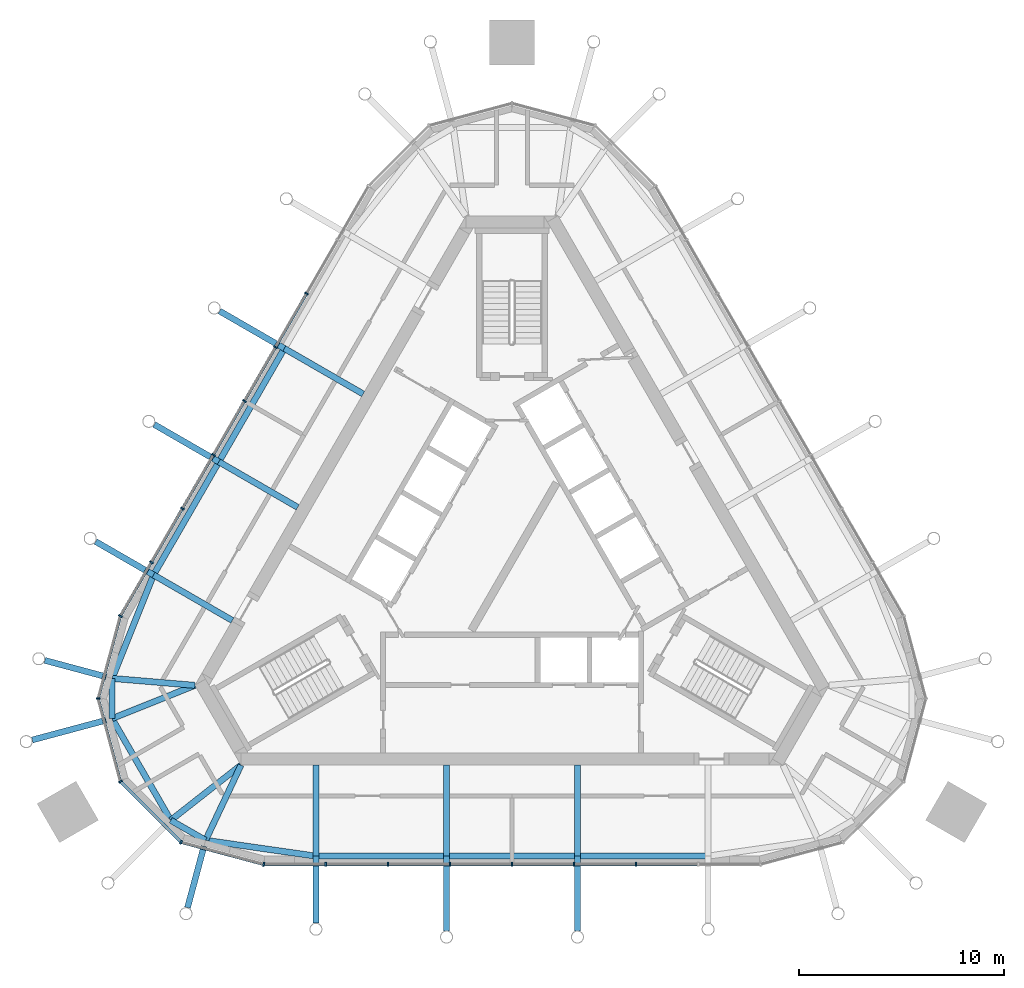
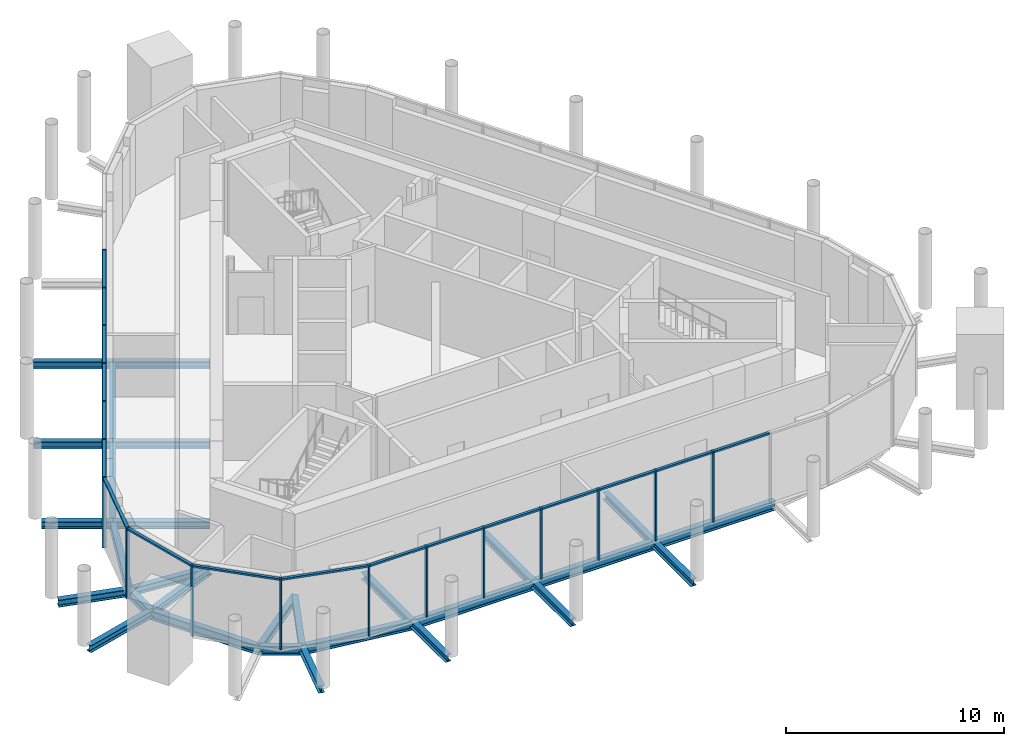
# One storey, part 2 of 11: 34 members, 29 beams, 3 elements without a shape of their own.
"""IFC4 building model written with IfcOpenShell, lengths in metres."""

from ifc_helpers import new_model, si_unit, direction, frame, origin, origin_2d, place, context, subcontext, project, spatial, rectangle, i_section, extrude, material, material_profile, profile_set, type_object, element, aggregate, save


model = new_model("IFC4")

# Units and contexts
model_context = context("Model", 3, precision=1e-05, world=origin(), true_north=direction((0.0, 1.0)))
body_context = subcontext(model_context, "Body", "Model", "MODEL_VIEW")
ifc_project = project(units=[si_unit("LENGTHUNIT", "METRE"), si_unit("AREAUNIT", "SQUARE_METRE"), si_unit("VOLUMEUNIT", "CUBIC_METRE"), si_unit("PLANEANGLEUNIT", "RADIAN"), si_unit("MASSUNIT", "GRAM", prefix="KILO")], contexts=[model_context])

# Site, building, storey
site_placement = place(None, origin())
site = spatial("IfcSite", under=ifc_project, at=site_placement, CompositionType="ELEMENT")
building_placement = place(site_placement, origin())
building = spatial("IfcBuilding", under=site, at=building_placement, Name="Mestral Congress Tower", CompositionType="ELEMENT")
storey_placement = place(building_placement, frame((0.0, 0.0, 336.0)))
storey = spatial("IfcBuildingStorey", under=building, at=storey_placement, Name="L78", CompositionType="ELEMENT", Elevation=336.0)

# Curtain wall, members
ifc_material_1 = material(Name="Glazed ceramic", Category="masonry")
curtain_wall_type = type_object("IfcCurtainWallType", Name="Facade plant louvre screen", PredefinedType="USERDEFINED", material=ifc_material_1)
placement = place(storey_placement, origin())
curtain_wall_1 = element("IfcCurtainWall", 1, at=placement, inside=storey, type_object=curtain_wall_type, Name="Plant louvre screen side 4", ObjectType="CURTAIN WALL", PredefinedType="USERDEFINED")
ifc_material_2 = material(Name="Anodised aluminium", Category="aluminium")
ifc_material_profile_1 = material_profile(ifc_material_2, rectangle(XDim=0.199951171875, YDim=0.080078125, at=origin_2d()), Name="CW6 mullion 200 x 80")
ifc_profile_set_1 = profile_set([ifc_material_profile_1], Name="Anodised aluminium")
member_type_1 = type_object("IfcMemberType", Name="Facade plant louvre screen mullion", PredefinedType="MULLION", material=ifc_profile_set_1)
member_1_placement = place(storey_placement, frame((-10.04248046875, 12.8056640625, 0.0), z_axis=(0.0, 0.0, 1.0), x_axis=(-0.866024531118, 0.500001511499, 0.0)))
member_1 = element("IfcMember", 2, at=member_1_placement, type_object=member_type_1, Name="Facade plant louvre screen mullion", PredefinedType="MULLION", context=body_context, shape_type="SweptSolid", body=[
    extrude(rectangle(XDim=0.199951171875, YDim=0.080078125, at=origin_2d()), origin(), (0.0, 0.0, 1.0), 3.949951171875),
])
member_2_placement = place(storey_placement, frame((-11.559814453125, 10.177978515625, 0.0), z_axis=(0.0, 0.0, 1.0), x_axis=(-0.866024531118, 0.500001511499, 0.0)))
member_2 = element("IfcMember", 3, at=member_2_placement, type_object=member_type_1, Name="Facade plant louvre screen mullion", PredefinedType="MULLION", context=body_context, shape_type="SweptSolid", body=[
    extrude(rectangle(XDim=0.199951171875, YDim=0.080078125, at=origin_2d()), origin(), (0.0, 0.0, 1.0), 3.949951171875),
])
member_3_placement = place(storey_placement, frame((-13.076904296875, 7.550048828125, 0.0), z_axis=(0.0, 0.0, 1.0), x_axis=(-0.866024531118, 0.500001511499, 0.0)))
member_3 = element("IfcMember", 4, at=member_3_placement, type_object=member_type_1, Name="Facade plant louvre screen mullion", PredefinedType="MULLION", context=body_context, shape_type="SweptSolid", body=[
    extrude(rectangle(XDim=0.199951171875, YDim=0.080078125, at=origin_2d()), origin(), (0.0, 0.0, 1.0), 3.949951171875),
])
member_4_placement = place(storey_placement, frame((-14.59423828125, 4.922119140625, 0.0), z_axis=(0.0, 0.0, 1.0), x_axis=(-0.866024531118, 0.500001511499, 0.0)))
member_4 = element("IfcMember", 5, at=member_4_placement, type_object=member_type_1, Name="Facade plant louvre screen mullion", PredefinedType="MULLION", context=body_context, shape_type="SweptSolid", body=[
    extrude(rectangle(XDim=0.199951171875, YDim=0.080078125, at=origin_2d()), origin(), (0.0, 0.0, 1.0), 3.949951171875),
])
member_5_placement = place(storey_placement, frame((-16.111328125, 2.294189453125, 0.0), z_axis=(0.0, 0.0, 1.0), x_axis=(-0.866024531118, 0.500001511499, 0.0)))
member_5 = element("IfcMember", 6, at=member_5_placement, type_object=member_type_1, Name="Facade plant louvre screen mullion", PredefinedType="MULLION", context=body_context, shape_type="SweptSolid", body=[
    extrude(rectangle(XDim=0.199951171875, YDim=0.080078125, at=origin_2d()), origin(), (0.0, 0.0, 1.0), 3.949951171875),
])
member_6_placement = place(storey_placement, frame((-17.628662109375, -0.33349609375, 0.0), z_axis=(0.0, 0.0, 1.0), x_axis=(-0.866024531118, 0.500001511499, 0.0)))
member_6 = element("IfcMember", 7, at=member_6_placement, type_object=member_type_1, Name="Facade plant louvre screen mullion", PredefinedType="MULLION", context=body_context, shape_type="SweptSolid", body=[
    extrude(rectangle(XDim=0.199951171875, YDim=0.080078125, at=origin_2d()), origin(), (0.0, 0.0, 1.0), 3.949951171875),
])
member_7_placement = place(storey_placement, frame((-19.145751953125, -2.96142578125, 0.0), z_axis=(0.0, 0.0, 1.0), x_axis=(-0.866024531118, 0.500001511499, 0.0)))
member_7 = element("IfcMember", 8, at=member_7_placement, type_object=member_type_1, Name="Facade plant louvre screen mullion", PredefinedType="MULLION", context=body_context, shape_type="SweptSolid", body=[
    extrude(rectangle(XDim=0.199951171875, YDim=0.080078125, at=origin_2d()), origin(), (0.0, 0.0, 1.0), 3.949951171875),
])

curtain_wall_2 = element("IfcCurtainWall", 9, at=placement, inside=storey, type_object=curtain_wall_type, Name="Plant louvre screen corner 5", ObjectType="CURTAIN WALL", PredefinedType="USERDEFINED")
member_8_placement = place(storey_placement, frame((-20.227783203125, -7.0, 0.0), z_axis=(0.0, 0.0, 1.0), x_axis=(-1.0, 0.0, 0.0)))
member_8 = element("IfcMember", 10, at=member_8_placement, type_object=member_type_1, Name="Facade plant louvre screen mullion", PredefinedType="MULLION", context=body_context, shape_type="SweptSolid", body=[
    extrude(rectangle(XDim=0.199951171875, YDim=0.080078125, at=origin_2d()), origin(), (0.0, 0.0, 1.0), 3.949951171875),
])
member_9_placement = place(storey_placement, frame((-19.142333984375, -11.0517578125, 0.0), z_axis=(0.0, 0.0, 1.0), x_axis=(-0.866025403784, -0.5, 0.0)))
member_9 = element("IfcMember", 11, at=member_9_placement, type_object=member_type_1, Name="Facade plant louvre screen mullion", PredefinedType="MULLION", context=body_context, shape_type="SweptSolid", body=[
    extrude(rectangle(XDim=0.199951171875, YDim=0.080078125, at=origin_2d()), origin(), (0.0, 0.0, 1.0), 3.949951171875),
])
member_10_placement = place(storey_placement, frame((-16.17626953125, -14.017822265625, 0.0), z_axis=(0.0, 0.0, 1.0), x_axis=(-0.5, -0.866025403784, 0.0)))
member_10 = element("IfcMember", 12, at=member_10_placement, type_object=member_type_1, Name="Facade plant louvre screen mullion", PredefinedType="MULLION", context=body_context, shape_type="SweptSolid", body=[
    extrude(rectangle(XDim=0.199951171875, YDim=0.080078125, at=origin_2d()), origin(), (0.0, 0.0, 1.0), 3.949951171875),
])
member_11_placement = place(storey_placement, frame((-12.1376953125, -15.10009765625, 0.0), z_axis=(0.0, 0.0, 1.0), x_axis=(-0.258819045103, -0.965925826289, 0.0)))
member_11 = element("IfcMember", 13, at=member_11_placement, type_object=member_type_1, Name="Facade plant louvre screen mullion", PredefinedType="MULLION", context=body_context, shape_type="SweptSolid", body=[
    extrude(rectangle(XDim=0.199951171875, YDim=0.080078125, at=origin_2d()), origin(), (0.0, 0.0, 1.0), 3.949951171875),
])

curtain_wall_3 = element("IfcCurtainWall", 14, at=placement, inside=storey, type_object=curtain_wall_type, Name="Plant louvre screen side 6", ObjectType="CURTAIN WALL", PredefinedType="USERDEFINED")
member_12_placement = place(storey_placement, frame((-9.103271484375, -15.10009765625, 0.0), z_axis=(0.0, 0.0, 1.0), x_axis=(0.0, -1.0, 0.0)))
member_12 = element("IfcMember", 15, at=member_12_placement, type_object=member_type_1, Name="Facade plant louvre screen mullion", PredefinedType="MULLION", context=body_context, shape_type="SweptSolid", body=[
    extrude(rectangle(XDim=0.199951171875, YDim=0.080078125, at=origin_2d()), origin(), (0.0, 0.0, 1.0), 3.949951171875),
])
member_13_placement = place(storey_placement, frame((-6.06884765625, -15.10009765625, 0.0), z_axis=(0.0, 0.0, 1.0), x_axis=(0.0, -1.0, 0.0)))
member_13 = element("IfcMember", 16, at=member_13_placement, type_object=member_type_1, Name="Facade plant louvre screen mullion", PredefinedType="MULLION", context=body_context, shape_type="SweptSolid", body=[
    extrude(rectangle(XDim=0.199951171875, YDim=0.080078125, at=origin_2d()), origin(), (0.0, 0.0, 1.0), 3.949951171875),
])
member_14_placement = place(storey_placement, frame((-3.034423828125, -15.10009765625, 0.0), z_axis=(0.0, 0.0, 1.0), x_axis=(0.0, -1.0, 0.0)))
member_14 = element("IfcMember", 17, at=member_14_placement, type_object=member_type_1, Name="Facade plant louvre screen mullion", PredefinedType="MULLION", context=body_context, shape_type="SweptSolid", body=[
    extrude(rectangle(XDim=0.199951171875, YDim=0.080078125, at=origin_2d()), origin(), (0.0, 0.0, 1.0), 3.949951171875),
])
member_15_placement = place(storey_placement, frame((0.0, -15.10009765625, 0.0), z_axis=(0.0, 0.0, 1.0), x_axis=(0.0, -1.0, 0.0)))
member_15 = element("IfcMember", 18, at=member_15_placement, type_object=member_type_1, Name="Facade plant louvre screen mullion", PredefinedType="MULLION", context=body_context, shape_type="SweptSolid", body=[
    extrude(rectangle(XDim=0.199951171875, YDim=0.080078125, at=origin_2d()), origin(), (0.0, 0.0, 1.0), 3.949951171875),
])
member_16_placement = place(storey_placement, frame((3.034423828125, -15.10009765625, 0.0), z_axis=(0.0, 0.0, 1.0), x_axis=(0.0, -1.0, 0.0)))
member_16 = element("IfcMember", 19, at=member_16_placement, type_object=member_type_1, Name="Facade plant louvre screen mullion", PredefinedType="MULLION", context=body_context, shape_type="SweptSolid", body=[
    extrude(rectangle(XDim=0.199951171875, YDim=0.080078125, at=origin_2d()), origin(), (0.0, 0.0, 1.0), 3.949951171875),
])
member_17_placement = place(storey_placement, frame((6.06884765625, -15.10009765625, 0.0), z_axis=(0.0, 0.0, 1.0), x_axis=(0.0, -1.0, 0.0)))
member_17 = element("IfcMember", 20, at=member_17_placement, type_object=member_type_1, Name="Facade plant louvre screen mullion", PredefinedType="MULLION", context=body_context, shape_type="SweptSolid", body=[
    extrude(rectangle(XDim=0.199951171875, YDim=0.080078125, at=origin_2d()), origin(), (0.0, 0.0, 1.0), 3.949951171875),
])

# Member
ifc_material_profile_2 = material_profile(ifc_material_2, rectangle(XDim=0.14990234375, YDim=0.10009765625, at=origin_2d()), Name="CW6 transom 150 x 100")
ifc_profile_set_2 = profile_set([ifc_material_profile_2], Name="Anodised aluminium")
member_type_2 = type_object("IfcMemberType", Name="Facade plant louvre screen transom", PredefinedType="USERDEFINED", material=ifc_profile_set_2)
member_18_placement = place(storey_placement, frame((-10.0625, 12.77099609375, 3.89990234375), z_axis=(-0.50002288008, -0.866012193561, 0.0), x_axis=(0.866012193561, -0.50002288008, 0.0)))
member_18 = element("IfcMember", 21, at=member_18_placement, type_object=member_type_2, Name="Facade plant louvre screen transom", ObjectType="TRANSOM", PredefinedType="USERDEFINED", context=body_context, shape_type="SweptSolid", body=[
    extrude(rectangle(XDim=0.14990234375, YDim=0.10009765625, at=origin_2d()), origin(), (0.0, 0.0, 1.0), 2.954345703125),
])

member_19_placement = place(storey_placement, frame((-11.579833984375, 10.143310546875, 3.89990234375), z_axis=(-0.499960902066, -0.86604797581, 0.0), x_axis=(0.86604797581, -0.499960902066, 0.0)))
member_19 = element("IfcMember", 22, at=member_19_placement, type_object=member_type_2, Name="Facade plant louvre screen transom", ObjectType="TRANSOM", PredefinedType="USERDEFINED", context=body_context, shape_type="SweptSolid", body=[
    extrude(rectangle(XDim=0.14990234375, YDim=0.10009765625, at=origin_2d()), origin(), (0.0, 0.0, 1.0), 2.954345703125),
])

member_20_placement = place(storey_placement, frame((-13.096923828125, 7.515380859375, 3.89990234375), z_axis=(-0.50002288008, -0.866012193561, 0.0), x_axis=(0.866012193561, -0.50002288008, 0.0)))
member_20 = element("IfcMember", 23, at=member_20_placement, type_object=member_type_2, Name="Facade plant louvre screen transom", ObjectType="TRANSOM", PredefinedType="USERDEFINED", context=body_context, shape_type="SweptSolid", body=[
    extrude(rectangle(XDim=0.14990234375, YDim=0.10009765625, at=origin_2d()), origin(), (0.0, 0.0, 1.0), 2.954345703125),
])

member_21_placement = place(storey_placement, frame((-14.6142578125, 4.887451171875, 3.89990234375), z_axis=(-0.499960902066, -0.86604797581, 0.0), x_axis=(0.86604797581, -0.499960902066, 0.0)))
member_21 = element("IfcMember", 24, at=member_21_placement, type_object=member_type_2, Name="Facade plant louvre screen transom", ObjectType="TRANSOM", PredefinedType="USERDEFINED", context=body_context, shape_type="SweptSolid", body=[
    extrude(rectangle(XDim=0.14990234375, YDim=0.10009765625, at=origin_2d()), origin(), (0.0, 0.0, 1.0), 2.954345703125),
])

member_22_placement = place(storey_placement, frame((-16.13134765625, 2.259765625, 3.89990234375), z_axis=(-0.50002288008, -0.866012193561, 0.0), x_axis=(0.866012193561, -0.50002288008, 0.0)))
member_22 = element("IfcMember", 25, at=member_22_placement, type_object=member_type_2, Name="Facade plant louvre screen transom", ObjectType="TRANSOM", PredefinedType="USERDEFINED", context=body_context, shape_type="SweptSolid", body=[
    extrude(rectangle(XDim=0.14990234375, YDim=0.10009765625, at=origin_2d()), origin(), (0.0, 0.0, 1.0), 2.954345703125),
])

member_23_placement = place(storey_placement, frame((-17.648681640625, -0.3681640625, 3.89990234375), z_axis=(-0.499960902066, -0.86604797581, 0.0), x_axis=(0.86604797581, -0.499960902066, 0.0)))
member_23 = element("IfcMember", 26, at=member_23_placement, type_object=member_type_2, Name="Facade plant louvre screen transom", ObjectType="TRANSOM", PredefinedType="USERDEFINED", context=body_context, shape_type="SweptSolid", body=[
    extrude(rectangle(XDim=0.14990234375, YDim=0.10009765625, at=origin_2d()), origin(), (0.0, 0.0, 1.0), 2.954345703125),
])

aggregate(curtain_wall_1, [member_1, member_2, member_3, member_4, member_5, member_6, member_7, member_18, member_19, member_20, member_21, member_22, member_23])

member_24_placement = place(storey_placement, frame((-19.156005859375, -3.0, 3.89990234375), z_axis=(-0.258833286133, -0.965922010304, 0.0), x_axis=(0.965922010304, -0.258833286133, 0.0)))
member_24 = element("IfcMember", 27, at=member_24_placement, type_object=member_type_2, Name="Facade plant louvre screen transom", ObjectType="TRANSOM", PredefinedType="USERDEFINED", context=body_context, shape_type="SweptSolid", body=[
    extrude(rectangle(XDim=0.14990234375, YDim=0.10009765625, at=origin_2d()), origin(), (0.0, 0.0, 1.0), 4.10107421875),
])

member_25_placement = place(storey_placement, frame((-20.217529296875, -7.03857421875, 3.89990234375), z_axis=(0.258807262034, -0.965928983476, 0.0), x_axis=(0.965928983476, 0.258807262034, 0.0)))
member_25 = element("IfcMember", 28, at=member_25_placement, type_object=member_type_2, Name="Facade plant louvre screen transom", ObjectType="TRANSOM", PredefinedType="USERDEFINED", context=body_context, shape_type="SweptSolid", body=[
    extrude(rectangle(XDim=0.14990234375, YDim=0.10009765625, at=origin_2d()), origin(), (0.0, 0.0, 1.0), 4.11474609375),
])

member_26_placement = place(storey_placement, frame((-19.114013671875, -11.080078125, 3.89990234375), z_axis=(0.707136447306, -0.707077113823, 0.0), x_axis=(0.707077113823, 0.707136447306, 0.0)))
member_26 = element("IfcMember", 29, at=member_26_placement, type_object=member_type_2, Name="Facade plant louvre screen transom", ObjectType="TRANSOM", PredefinedType="USERDEFINED", context=body_context, shape_type="SweptSolid", body=[
    extrude(rectangle(XDim=0.14990234375, YDim=0.10009765625, at=origin_2d()), origin(), (0.0, 0.0, 1.0), 4.11474609375),
])

member_27_placement = place(storey_placement, frame((-16.137451171875, -14.0283203125, 3.89990234375), z_axis=(0.965932905177, -0.258792624888, 0.0), x_axis=(0.258792624888, 0.965932905177, 0.0)))
member_27 = element("IfcMember", 30, at=member_27_placement, type_object=member_type_2, Name="Facade plant louvre screen transom", ObjectType="TRANSOM", PredefinedType="USERDEFINED", context=body_context, shape_type="SweptSolid", body=[
    extrude(rectangle(XDim=0.14990234375, YDim=0.10009765625, at=origin_2d()), origin(), (0.0, 0.0, 1.0), 4.100830078125),
])

aggregate(curtain_wall_2, [member_8, member_9, member_10, member_11, member_24, member_25, member_26, member_27])

member_28_placement = place(storey_placement, frame((-12.09765625, -15.10009765625, 3.89990234375), z_axis=(1.0, 0.0, 0.0), x_axis=(0.0, 1.0, 0.0)))
member_28 = element("IfcMember", 31, at=member_28_placement, type_object=member_type_2, Name="Facade plant louvre screen transom", ObjectType="TRANSOM", PredefinedType="USERDEFINED", context=body_context, shape_type="SweptSolid", body=[
    extrude(rectangle(XDim=0.14990234375, YDim=0.10009765625, at=origin_2d()), origin(), (0.0, 0.0, 1.0), 2.954345703125),
])

member_29_placement = place(storey_placement, frame((-9.063232421875, -15.10009765625, 3.89990234375), z_axis=(1.0, 0.0, 0.0), x_axis=(0.0, 1.0, 0.0)))
member_29 = element("IfcMember", 32, at=member_29_placement, type_object=member_type_2, Name="Facade plant louvre screen transom", ObjectType="TRANSOM", PredefinedType="USERDEFINED", context=body_context, shape_type="SweptSolid", body=[
    extrude(rectangle(XDim=0.14990234375, YDim=0.10009765625, at=origin_2d()), origin(), (0.0, 0.0, 1.0), 2.954345703125),
])

member_30_placement = place(storey_placement, frame((-6.02880859375, -15.10009765625, 3.89990234375), z_axis=(1.0, 0.0, 0.0), x_axis=(0.0, 1.0, 0.0)))
member_30 = element("IfcMember", 33, at=member_30_placement, type_object=member_type_2, Name="Facade plant louvre screen transom", ObjectType="TRANSOM", PredefinedType="USERDEFINED", context=body_context, shape_type="SweptSolid", body=[
    extrude(rectangle(XDim=0.14990234375, YDim=0.10009765625, at=origin_2d()), origin(), (0.0, 0.0, 1.0), 2.954345703125),
])

member_31_placement = place(storey_placement, frame((-2.994384765625, -15.10009765625, 3.89990234375), z_axis=(1.0, 0.0, 0.0), x_axis=(0.0, 1.0, 0.0)))
member_31 = element("IfcMember", 34, at=member_31_placement, type_object=member_type_2, Name="Facade plant louvre screen transom", ObjectType="TRANSOM", PredefinedType="USERDEFINED", context=body_context, shape_type="SweptSolid", body=[
    extrude(rectangle(XDim=0.14990234375, YDim=0.10009765625, at=origin_2d()), origin(), (0.0, 0.0, 1.0), 2.954345703125),
])

member_32_placement = place(storey_placement, frame((0.0400390625, -15.10009765625, 3.89990234375), z_axis=(1.0, 0.0, 0.0), x_axis=(0.0, 1.0, 0.0)))
member_32 = element("IfcMember", 35, at=member_32_placement, type_object=member_type_2, Name="Facade plant louvre screen transom", ObjectType="TRANSOM", PredefinedType="USERDEFINED", context=body_context, shape_type="SweptSolid", body=[
    extrude(rectangle(XDim=0.14990234375, YDim=0.10009765625, at=origin_2d()), origin(), (0.0, 0.0, 1.0), 2.954345703125),
])

member_33_placement = place(storey_placement, frame((3.074462890625, -15.10009765625, 3.89990234375), z_axis=(1.0, 0.0, 0.0), x_axis=(0.0, 1.0, 0.0)))
member_33 = element("IfcMember", 36, at=member_33_placement, type_object=member_type_2, Name="Facade plant louvre screen transom", ObjectType="TRANSOM", PredefinedType="USERDEFINED", context=body_context, shape_type="SweptSolid", body=[
    extrude(rectangle(XDim=0.14990234375, YDim=0.10009765625, at=origin_2d()), origin(), (0.0, 0.0, 1.0), 2.954345703125),
])

member_34_placement = place(storey_placement, frame((6.10888671875, -15.10009765625, 3.89990234375), z_axis=(1.0, 0.0, 0.0), x_axis=(0.0, 1.0, 0.0)))
member_34 = element("IfcMember", 37, at=member_34_placement, type_object=member_type_2, Name="Facade plant louvre screen transom", ObjectType="TRANSOM", PredefinedType="USERDEFINED", context=body_context, shape_type="SweptSolid", body=[
    extrude(rectangle(XDim=0.14990234375, YDim=0.10009765625, at=origin_2d()), origin(), (0.0, 0.0, 1.0), 2.954345703125),
])

aggregate(curtain_wall_3, [member_12, member_13, member_14, member_15, member_16, member_17, member_28, member_29, member_30, member_31, member_32, member_33, member_34])

# Beams
ifc_material_3 = material(Name="Steel S355", Category="steel")
ifc_material_profile_3 = material_profile(ifc_material_3, i_section(OverallWidth=0.300048828125, OverallDepth=0.39990234375, WebThickness=0.013427734375, FlangeThickness=0.02392578125, FilletRadius=0.027099609375, at=origin_2d()), Name="HEB 400")
ifc_profile_set_3 = profile_set([ifc_material_profile_3], Name="Steel S355")
beam_type_1 = type_object("IfcBeamType", Name="Floor beam HEB 400 S355", PredefinedType="BEAM", material=ifc_profile_set_3)
for number, where, z_axis, x_axis, name in (
    (38, (3.199462890625, -10.25, -0.449951171875), (0.0, -1.0, 0.0), (1.0, 0.0, 0.0), "BM-L78-KR01"),
    (39, (-3.199462890625, -10.25, -0.449951171875), (0.0, -1.0, 0.0), (1.0, 0.0, 0.0), "BM-L78-KR02"),
    (40, (-9.587158203125, -10.25, -0.449951171875), (0.0, -1.0, 0.0), (1.0, 0.0, 0.0), "BM-L78-KR03"),
):
    element("IfcBeam", number, at=place(storey_placement, frame(where, z_axis=z_axis, x_axis=x_axis)), inside=storey, type_object=beam_type_1, Name=name, PredefinedType="BEAM", context=body_context, shape_type="SweptSolid", body=[
        extrude(i_section(OverallWidth=0.300048828125, OverallDepth=0.39990234375, WebThickness=0.013427734375, FlangeThickness=0.02392578125, FilletRadius=0.027099609375, at=origin_2d()), origin(), (0.0, 0.0, 1.0), 4.449951171875),
    ])
beam_1_placement = place(storey_placement, frame((-13.250244140625, -10.25, -0.449951171875), z_axis=(-0.425828884258, -0.904803714256, 0.0), x_axis=(0.904803714256, -0.425828884258, 0.0)))
element("IfcBeam", 41, at=beam_1_placement, inside=storey, type_object=beam_type_1, Name="BM-L78-KR04", PredefinedType="BEAM", context=body_context, shape_type="SweptSolid", body=[
    extrude(i_section(OverallWidth=0.300048828125, OverallDepth=0.39990234375, WebThickness=0.013427734375, FlangeThickness=0.02392578125, FilletRadius=0.027099609375, at=origin_2d()), origin(), (0.0, 0.0, 1.0), 4.060791015625),
])
for number, where, z_axis, x_axis, name in (
    (42, (-13.250244140625, -10.25, -0.449951171875), (-0.786533746493, -0.617547298292, 0.0), (0.617547298292, -0.786533746493, 0.0), "BM-L78-KR05"),
    (43, (-15.501953125, -6.35009765625, -0.449951171875), (-0.928078801871, -0.372383857757, 0.0), (0.372383857757, -0.928078801871, 0.0), "BM-L78-KR06"),
):
    element("IfcBeam", number, at=place(storey_placement, frame(where, z_axis=z_axis, x_axis=x_axis)), inside=storey, type_object=beam_type_1, Name=name, PredefinedType="BEAM", context=body_context, shape_type="SweptSolid", body=[
        extrude(i_section(OverallWidth=0.300048828125, OverallDepth=0.39990234375, WebThickness=0.013427734375, FlangeThickness=0.02392578125, FilletRadius=0.027099609375, at=origin_2d()), origin(), (0.0, 0.0, 1.0), 4.364501953125),
    ])
beam_2_placement = place(storey_placement, frame((-15.501953125, -6.35009765625, -0.449951171875), z_axis=(-0.996497077205, 0.083627597852, 0.0), x_axis=(-0.083627597852, -0.996497077205, 0.0)))
element("IfcBeam", 44, at=beam_2_placement, inside=storey, type_object=beam_type_1, Name="BM-L78-KR07", PredefinedType="BEAM", context=body_context, shape_type="SweptSolid", body=[
    extrude(i_section(OverallWidth=0.300048828125, OverallDepth=0.39990234375, WebThickness=0.013427734375, FlangeThickness=0.02392578125, FilletRadius=0.027099609375, at=origin_2d()), origin(), (0.0, 0.0, 1.0), 4.060791015625),
])
for number, where, z_axis, x_axis, name in (
    (45, (-13.67041015625, -3.177734375, -0.449951171875), (-0.866012907634, 0.500021643343, 0.0), (-0.500021643343, -0.866012907634, 0.0), "BM-L78-KR08"),
    (46, (-10.4765625, 2.35400390625, -0.449951171875), (-0.866012907634, 0.500021643343, 0.0), (-0.500021643343, -0.866012907634, 0.0), "BM-L78-KR09"),
    (47, (-7.277099609375, 7.89599609375, -0.449951171875), (-0.866036664382, 0.499980495566, 0.0), (-0.499980495566, -0.866036664382, 0.0), "BM-L78-KR10"),
):
    element("IfcBeam", number, at=place(storey_placement, frame(where, z_axis=z_axis, x_axis=x_axis)), inside=storey, type_object=beam_type_1, Name=name, PredefinedType="BEAM", context=body_context, shape_type="SweptSolid", body=[
        extrude(i_section(OverallWidth=0.300048828125, OverallDepth=0.39990234375, WebThickness=0.013427734375, FlangeThickness=0.02392578125, FilletRadius=0.027099609375, at=origin_2d()), origin(), (0.0, 0.0, 1.0), 4.449951171875),
    ])
for number, where, z_axis, x_axis, name in (
    (48, (3.199462890625, -18.35009765625, -0.449951171875), (0.0, 1.0, 0.0), (-1.0, 0.0, 0.0), "BM-L78-KT-C5-S03"),
    (49, (-3.199462890625, -18.35009765625, -0.449951171875), (0.0, 1.0, 0.0), (-1.0, 0.0, 0.0), "BM-L78-KT-C5-S02"),
):
    element("IfcBeam", number, at=place(storey_placement, frame(where, z_axis=z_axis, x_axis=x_axis)), inside=storey, type_object=beam_type_1, Name=name, PredefinedType="BEAM", context=body_context, shape_type="SweptSolid", body=[
        extrude(i_section(OverallWidth=0.300048828125, OverallDepth=0.39990234375, WebThickness=0.013427734375, FlangeThickness=0.02392578125, FilletRadius=0.027099609375, at=origin_2d()), origin(), (0.0, 0.0, 1.0), 3.650146484375),
    ])
beam_3_placement = place(storey_placement, frame((-9.587158203125, -17.96875, -0.449951171875), z_axis=(0.0, 1.0, 0.0), x_axis=(-1.0, 0.0, 0.0)))
element("IfcBeam", 50, at=beam_3_placement, inside=storey, type_object=beam_type_1, Name="BM-L78-KT-C5-S01", PredefinedType="BEAM", context=body_context, shape_type="SweptSolid", body=[
    extrude(i_section(OverallWidth=0.300048828125, OverallDepth=0.39990234375, WebThickness=0.013427734375, FlangeThickness=0.02392578125, FilletRadius=0.027099609375, at=origin_2d()), origin(), (0.0, 0.0, 1.0), 3.268798828125),
])
beam_4_placement = place(storey_placement, frame((-15.86181640625, -17.21728515625, -0.449951171875), z_axis=(0.258812449793, 0.965927593473, 0.0), x_axis=(-0.965927593473, 0.258812449793, 0.0)))
element("IfcBeam", 51, at=beam_4_placement, inside=storey, type_object=beam_type_1, Name="BM-L78-KT-C5-S00", PredefinedType="BEAM", context=body_context, shape_type="SweptSolid", body=[
    extrude(i_section(OverallWidth=0.300048828125, OverallDepth=0.39990234375, WebThickness=0.013427734375, FlangeThickness=0.02392578125, FilletRadius=0.027099609375, at=origin_2d()), origin(), (0.0, 0.0, 1.0), 3.4091796875),
])
beam_5_placement = place(storey_placement, frame((-23.453369140625, -9.0205078125, -0.449951171875), z_axis=(0.965930242246, 0.258802563966, 0.0), x_axis=(-0.258802563966, 0.965930242246, 0.0)))
element("IfcBeam", 52, at=beam_5_placement, inside=storey, type_object=beam_type_1, Name="BM-L78-KT-C5-SW1", PredefinedType="BEAM", context=body_context, shape_type="SweptSolid", body=[
    extrude(i_section(OverallWidth=0.300048828125, OverallDepth=0.39990234375, WebThickness=0.013427734375, FlangeThickness=0.02392578125, FilletRadius=0.027099609375, at=origin_2d()), origin(), (0.0, 0.0, 1.0), 4.03857421875),
])
beam_6_placement = place(storey_placement, frame((-22.841552734375, -5.1279296875, -0.449951171875), z_axis=(0.965909688455, -0.258879264811, 0.0), x_axis=(0.258879264811, 0.965909688455, 0.0)))
element("IfcBeam", 53, at=beam_6_placement, inside=storey, type_object=beam_type_1, Name="BM-L78-KT-C5-W05", PredefinedType="BEAM", context=body_context, shape_type="SweptSolid", body=[
    extrude(i_section(OverallWidth=0.300048828125, OverallDepth=0.39990234375, WebThickness=0.013427734375, FlangeThickness=0.02392578125, FilletRadius=0.027099609375, at=origin_2d()), origin(), (0.0, 0.0, 1.0), 3.4091796875),
])
beam_7_placement = place(storey_placement, frame((-20.35498046875, 0.681640625, -0.449951171875), z_axis=(0.86603757612, -0.499978916304, 0.0), x_axis=(0.499978916304, 0.86603757612, 0.0)))
element("IfcBeam", 54, at=beam_7_placement, inside=storey, type_object=beam_type_1, Name="BM-L78-KT-C5-W04", PredefinedType="BEAM", context=body_context, shape_type="SweptSolid", body=[
    extrude(i_section(OverallWidth=0.300048828125, OverallDepth=0.39990234375, WebThickness=0.013427734375, FlangeThickness=0.02392578125, FilletRadius=0.027099609375, at=origin_2d()), origin(), (0.0, 0.0, 1.0), 3.268798828125),
])
beam_8_placement = place(storey_placement, frame((-17.49169921875, 6.404296875, -0.449951171875), z_axis=(0.866028549844, -0.499994550825, 0.0), x_axis=(0.499994550825, 0.866028549844, 0.0)))
element("IfcBeam", 55, at=beam_8_placement, inside=storey, type_object=beam_type_1, Name="BM-L78-KT-C5-W03", PredefinedType="BEAM", context=body_context, shape_type="SweptSolid", body=[
    extrude(i_section(OverallWidth=0.300048828125, OverallDepth=0.39990234375, WebThickness=0.013427734375, FlangeThickness=0.02392578125, FilletRadius=0.027099609375, at=origin_2d()), origin(), (0.0, 0.0, 1.0), 3.650390625),
])
beam_9_placement = place(storey_placement, frame((-14.2919921875, 11.946044921875, -0.449951171875), z_axis=(0.866011828767, -0.500023511883, 0.0), x_axis=(0.500023511883, 0.866011828767, 0.0)))
element("IfcBeam", 56, at=beam_9_placement, inside=storey, type_object=beam_type_1, Name="BM-L78-KT-C5-W02", PredefinedType="BEAM", context=body_context, shape_type="SweptSolid", body=[
    extrude(i_section(OverallWidth=0.300048828125, OverallDepth=0.39990234375, WebThickness=0.013427734375, FlangeThickness=0.02392578125, FilletRadius=0.027099609375, at=origin_2d()), origin(), (0.0, 0.0, 1.0), 3.650146484375),
])
ifc_material_profile_4 = material_profile(ifc_material_3, i_section(OverallWidth=0.300048828125, OverallDepth=0.5, WebThickness=0.014404296875, FlangeThickness=0.028076171875, FilletRadius=0.027099609375, at=origin_2d()), Name="HEB 500")
ifc_profile_set_4 = profile_set([ifc_material_profile_4], Name="Steel S355")
beam_type_2 = type_object("IfcBeamType", Name="Floor beam HEB 500 S355", PredefinedType="BEAM", material=ifc_profile_set_4)
beam_10_placement = place(storey_placement, frame((9.587158203125, -14.699951171875, -0.5), z_axis=(-1.0, 0.0, 0.0), x_axis=(0.0, -1.0, 0.0)))
element("IfcBeam", 57, at=beam_10_placement, inside=storey, type_object=beam_type_2, Name="BM-L78-KG00", PredefinedType="BEAM", context=body_context, shape_type="SweptSolid", body=[
    extrude(i_section(OverallWidth=0.300048828125, OverallDepth=0.5, WebThickness=0.014404296875, FlangeThickness=0.028076171875, FilletRadius=0.027099609375, at=origin_2d()), origin(), (0.0, 0.0, 1.0), 6.3876953125),
])
beam_11_placement = place(storey_placement, frame((3.199462890625, -14.699951171875, -0.5), z_axis=(-1.0, 0.0, 0.0), x_axis=(0.0, -1.0, 0.0)))
element("IfcBeam", 58, at=beam_11_placement, inside=storey, type_object=beam_type_2, Name="BM-L78-KG01", PredefinedType="BEAM", context=body_context, shape_type="SweptSolid", body=[
    extrude(i_section(OverallWidth=0.300048828125, OverallDepth=0.5, WebThickness=0.014404296875, FlangeThickness=0.028076171875, FilletRadius=0.027099609375, at=origin_2d()), origin(), (0.0, 0.0, 1.0), 6.39892578125),
])
beam_12_placement = place(storey_placement, frame((-3.199462890625, -14.699951171875, -0.5), z_axis=(-1.0, 0.0, 0.0), x_axis=(0.0, -1.0, 0.0)))
element("IfcBeam", 59, at=beam_12_placement, inside=storey, type_object=beam_type_2, Name="BM-L78-KG02", PredefinedType="BEAM", context=body_context, shape_type="SweptSolid", body=[
    extrude(i_section(OverallWidth=0.300048828125, OverallDepth=0.5, WebThickness=0.014404296875, FlangeThickness=0.028076171875, FilletRadius=0.027099609375, at=origin_2d()), origin(), (0.0, 0.0, 1.0), 6.3876953125),
])
beam_13_placement = place(storey_placement, frame((-9.587158203125, -14.699951171875, -0.5), z_axis=(-0.989812798939, 0.1423749383, 0.0), x_axis=(-0.1423749383, -0.989812798939, 0.0)))
element("IfcBeam", 60, at=beam_13_placement, inside=storey, type_object=beam_type_2, Name="BM-L78-KG03", PredefinedType="BEAM", context=body_context, shape_type="SweptSolid", body=[
    extrude(i_section(OverallWidth=0.300048828125, OverallDepth=0.5, WebThickness=0.014404296875, FlangeThickness=0.028076171875, FilletRadius=0.027099609375, at=origin_2d()), origin(), (0.0, 0.0, 1.0), 5.44775390625),
])
beam_14_placement = place(storey_placement, frame((-14.9794921875, -13.92431640625, -0.5), z_axis=(-0.86703245351, 0.498251667895, 0.0), x_axis=(-0.498251667895, -0.86703245351, 0.0)))
element("IfcBeam", 61, at=beam_14_placement, inside=storey, type_object=beam_type_2, Name="BM-L78-KG04", PredefinedType="BEAM", context=body_context, shape_type="SweptSolid", body=[
    extrude(i_section(OverallWidth=0.300048828125, OverallDepth=0.5, WebThickness=0.014404296875, FlangeThickness=0.028076171875, FilletRadius=0.027099609375, at=origin_2d()), origin(), (0.0, 0.0, 1.0), 1.96484375),
])
beam_15_placement = place(storey_placement, frame((-16.68310546875, -12.9453125, -0.5), z_axis=(-0.499996189405, 0.866027603821, 0.0), x_axis=(-0.866027603821, -0.499996189405, 0.0)))
element("IfcBeam", 62, at=beam_15_placement, inside=storey, type_object=beam_type_2, Name="BM-L78-KG05", PredefinedType="BEAM", context=body_context, shape_type="SweptSolid", body=[
    extrude(i_section(OverallWidth=0.300048828125, OverallDepth=0.5, WebThickness=0.014404296875, FlangeThickness=0.028076171875, FilletRadius=0.027099609375, at=origin_2d()), origin(), (0.0, 0.0, 1.0), 5.73876953125),
])
beam_16_placement = place(storey_placement, frame((-19.552490234375, -7.975341796875, -0.5), z_axis=(0.001988067642, 0.999998023792, 0.0), x_axis=(-0.999998023792, 0.001988067642, 0.0)))
element("IfcBeam", 63, at=beam_16_placement, inside=storey, type_object=beam_type_2, Name="BM-L78-KG06", PredefinedType="BEAM", context=body_context, shape_type="SweptSolid", body=[
    extrude(i_section(OverallWidth=0.300048828125, OverallDepth=0.5, WebThickness=0.014404296875, FlangeThickness=0.028076171875, FilletRadius=0.027099609375, at=origin_2d()), origin(), (0.0, 0.0, 1.0), 1.96484375),
])
beam_17_placement = place(storey_placement, frame((-19.548583984375, -6.010498046875, -0.5), z_axis=(0.37159155469, 0.928396314341, 0.0), x_axis=(-0.928396314341, 0.37159155469, 0.0)))
element("IfcBeam", 64, at=beam_17_placement, inside=storey, type_object=beam_type_2, Name="BM-L78-KG07", PredefinedType="BEAM", context=body_context, shape_type="SweptSolid", body=[
    extrude(i_section(OverallWidth=0.300048828125, OverallDepth=0.5, WebThickness=0.014404296875, FlangeThickness=0.028076171875, FilletRadius=0.027099609375, at=origin_2d()), origin(), (0.0, 0.0, 1.0), 5.447998046875),
])
beam_18_placement = place(storey_placement, frame((-17.524169921875, -0.95263671875, -0.5), z_axis=(0.500011397576, 0.866018823291, 0.0), x_axis=(-0.866018823291, 0.500011397576, 0.0)))
element("IfcBeam", 65, at=beam_18_placement, inside=storey, type_object=beam_type_2, Name="BM-L78-KG08", PredefinedType="BEAM", context=body_context, shape_type="SweptSolid", body=[
    extrude(i_section(OverallWidth=0.300048828125, OverallDepth=0.5, WebThickness=0.014404296875, FlangeThickness=0.028076171875, FilletRadius=0.027099609375, at=origin_2d()), origin(), (0.0, 0.0, 1.0), 6.387451171875),
])
beam_19_placement = place(storey_placement, frame((-14.330322265625, 4.5791015625, -0.5), z_axis=(0.499992166441, 0.866029926444, 0.0), x_axis=(-0.866029926444, 0.499992166441, 0.0)))
element("IfcBeam", 66, at=beam_19_placement, inside=storey, type_object=beam_type_2, Name="BM-L78-KG09", PredefinedType="BEAM", context=body_context, shape_type="SweptSolid", body=[
    extrude(i_section(OverallWidth=0.300048828125, OverallDepth=0.5, WebThickness=0.014404296875, FlangeThickness=0.028076171875, FilletRadius=0.027099609375, at=origin_2d()), origin(), (0.0, 0.0, 1.0), 6.39892578125),
])

save(model, "model.ifc")
